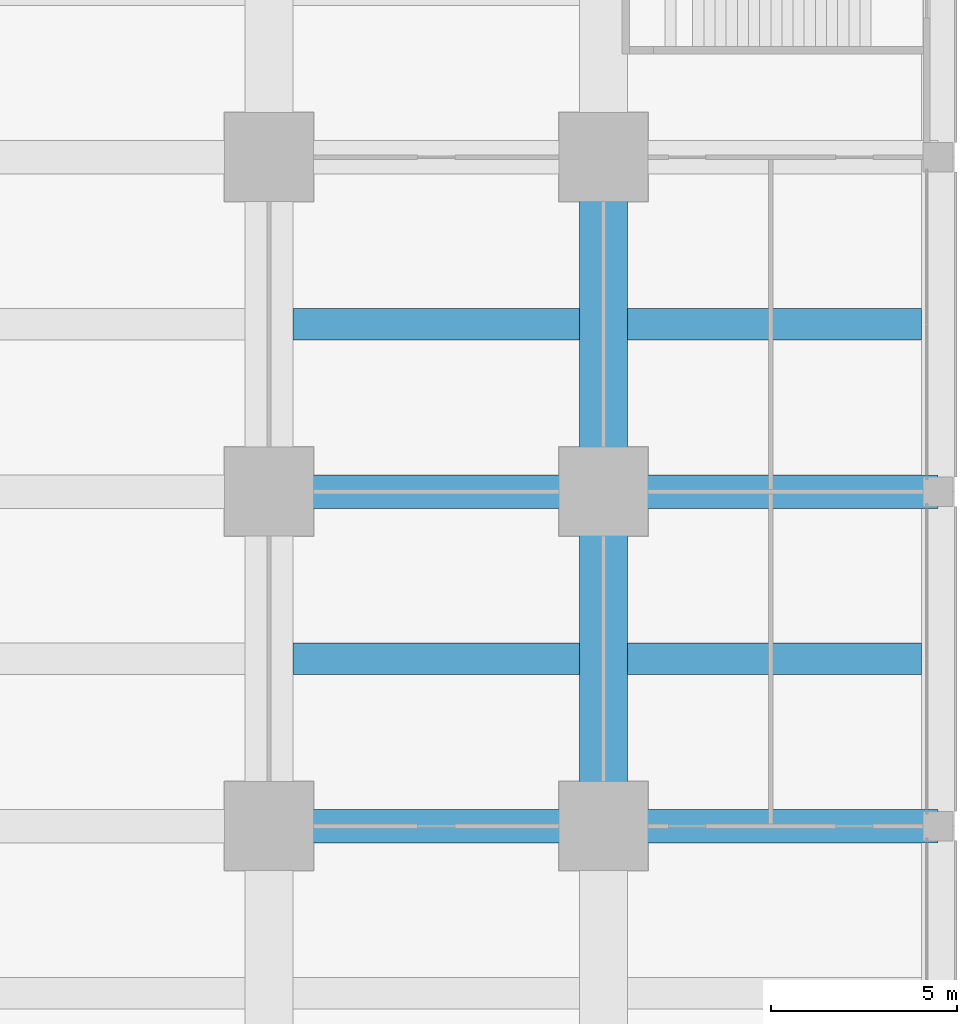
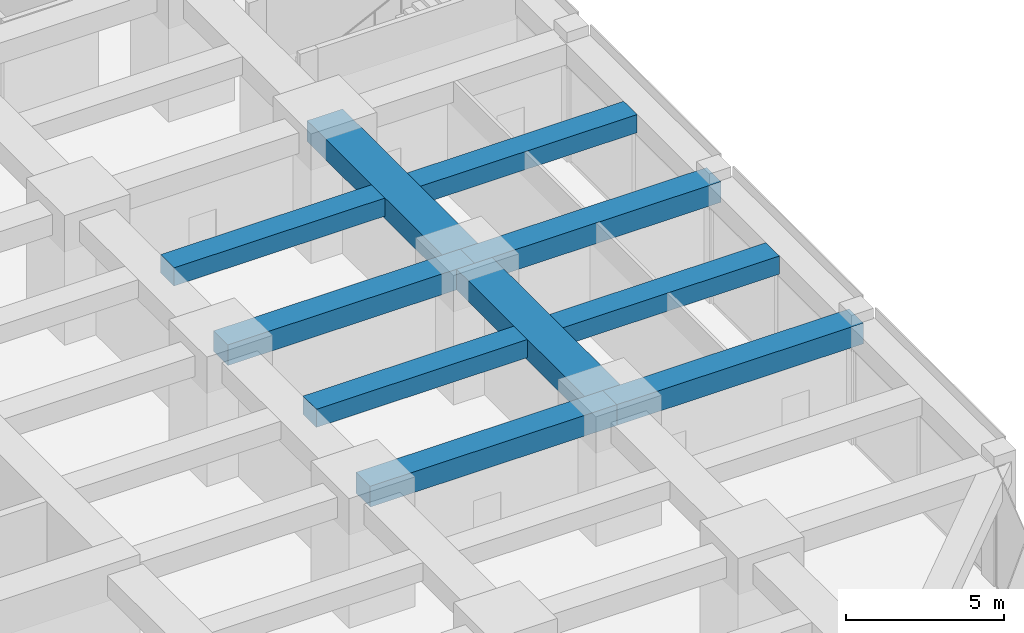
# One storey, part 33 of 46: 10 beams.
"""IFC4 building model written with IfcOpenShell, lengths in metres."""

from ifc_helpers import new_model, si_unit, direction, frame, origin, origin_2d, place, context, subcontext, project, spatial, rectangle, extrude, material, material_profile, profile_set, type_object, element, save


model = new_model("IFC4")

# Units and contexts
model_context = context("Model", 3, precision=1e-05, world=origin(), true_north=direction((0.0, 1.0)))
body_context = subcontext(model_context, "Body", "Model", "MODEL_VIEW")
ifc_project = project(units=[si_unit("LENGTHUNIT", "METRE"), si_unit("AREAUNIT", "SQUARE_METRE"), si_unit("VOLUMEUNIT", "CUBIC_METRE"), si_unit("PLANEANGLEUNIT", "RADIAN"), si_unit("MASSUNIT", "GRAM", prefix="KILO")], contexts=[model_context])

# Site, building, storey
site_placement = place(None, origin())
site = spatial("IfcSite", under=ifc_project, at=site_placement, CompositionType="ELEMENT")
building_placement = place(site_placement, origin())
building = spatial("IfcBuilding", under=site, at=building_placement, Name="Zorevar Civic Tower", CompositionType="ELEMENT")
storey_placement = place(building_placement, frame((0.0, 0.0, 10.800048828125)))
storey = spatial("IfcBuildingStorey", under=building, at=storey_placement, Name="L02", CompositionType="ELEMENT", Elevation=10.800048828125)

# Beams
ifc_material_1 = material(Name="Concrete C50/60", Category="concrete")
ifc_material_profile_1 = material_profile(ifc_material_1, rectangle(XDim=1.300048828125, YDim=0.800048828125, at=origin_2d()), Name="RC 1300x800")
ifc_profile_set_1 = profile_set([ifc_material_profile_1], Name="Concrete C50/60")
beam_type_1 = type_object("IfcBeamType", Name="Beam RC 1300x800", PredefinedType="BEAM", material=ifc_profile_set_1)
for number, where, z_axis, x_axis, name in (
    (1, (63.0, 18.0, 4.199951171875), (0.0, 1.0, 0.0), (-1.0, 0.0, 0.0), "Girder L03"),
    (2, (63.0, 27.0, 4.199951171875), (0.0, 1.0, 0.0), (-1.0, 0.0, 0.0), "Girder L03"),
):
    element("IfcBeam", number, at=place(storey_placement, frame(where, z_axis=z_axis, x_axis=x_axis)), inside=storey, type_object=beam_type_1, Name=name, PredefinedType="BEAM", context=body_context, shape_type="SweptSolid", body=[
        extrude(rectangle(XDim=1.300048828125, YDim=0.800048828125, at=origin_2d()), origin(), (0.0, 0.0, 1.0), 9.0),
    ])
ifc_material_2 = material(Name="Concrete C50/60", Category="concrete")
ifc_material_profile_2 = material_profile(ifc_material_2, rectangle(XDim=0.85009765625, YDim=0.699951171875, at=origin_2d()), Name="RC 850x700")
ifc_profile_set_2 = profile_set([ifc_material_profile_2], Name="Concrete C50/60")
beam_type_2 = type_object("IfcBeamType", Name="Beam RC 850x700", PredefinedType="BEAM", material=ifc_profile_set_2)
beam_1_placement = place(storey_placement, frame((54.64990234375, 22.5, 4.25), z_axis=(1.0, 0.0, 0.0), x_axis=(0.0, 1.0, 0.0)))
element("IfcBeam", 3, at=beam_1_placement, inside=storey, type_object=beam_type_2, Name="Secondary beam L03", PredefinedType="BEAM", context=body_context, shape_type="SweptSolid", body=[
    extrude(rectangle(XDim=0.85009765625, YDim=0.699951171875, at=origin_2d()), origin(), (0.0, 0.0, 1.0), 7.7001953125),
])
beam_2_placement = place(storey_placement, frame((63.64990234375, 22.5, 4.25), z_axis=(1.0, 0.0, 0.0), x_axis=(0.0, 1.0, 0.0)))
element("IfcBeam", 4, at=beam_2_placement, inside=storey, type_object=beam_type_2, Name="Secondary beam L03", PredefinedType="BEAM", context=body_context, shape_type="SweptSolid", body=[
    extrude(rectangle(XDim=0.85009765625, YDim=0.699951171875, at=origin_2d()), origin(), (0.0, 0.0, 1.0), 7.900146484375),
])
beam_3_placement = place(storey_placement, frame((54.64990234375, 31.5, 4.25), z_axis=(1.0, 0.0, 0.0), x_axis=(0.0, 1.0, 0.0)))
element("IfcBeam", 5, at=beam_3_placement, inside=storey, type_object=beam_type_2, Name="Secondary beam L03", PredefinedType="BEAM", context=body_context, shape_type="SweptSolid", body=[
    extrude(rectangle(XDim=0.85009765625, YDim=0.699951171875, at=origin_2d()), origin(), (0.0, 0.0, 1.0), 7.7001953125),
])
beam_4_placement = place(storey_placement, frame((63.64990234375, 31.5, 4.25), z_axis=(1.0, 0.0, 0.0), x_axis=(0.0, 1.0, 0.0)))
element("IfcBeam", 6, at=beam_4_placement, inside=storey, type_object=beam_type_2, Name="Secondary beam L03", PredefinedType="BEAM", context=body_context, shape_type="SweptSolid", body=[
    extrude(rectangle(XDim=0.85009765625, YDim=0.699951171875, at=origin_2d()), origin(), (0.0, 0.0, 1.0), 7.900146484375),
])
ifc_material_3 = material(Name="Concrete C50/60", Category="concrete")
ifc_material_profile_3 = material_profile(ifc_material_3, rectangle(XDim=0.89990234375, YDim=0.800048828125, at=origin_2d()), Name="RC 900x800")
ifc_profile_set_3 = profile_set([ifc_material_profile_3], Name="Concrete C50/60")
beam_type_3 = type_object("IfcBeamType", Name="Beam RC 900x800", PredefinedType="BEAM", material=ifc_profile_set_3)
for number, where, z_axis, x_axis, name in (
    (7, (54.0, 18.0, 4.199951171875), (1.0, 0.0, 0.0), (0.0, 1.0, 0.0), "Girder L03"),
    (8, (63.0, 18.0, 4.199951171875), (1.0, 0.0, 0.0), (0.0, 1.0, 0.0), "Girder L03"),
    (9, (54.0, 27.0, 4.199951171875), (1.0, 0.0, 0.0), (0.0, 1.0, 0.0), "Girder L03"),
    (10, (63.0, 27.0, 4.199951171875), (1.0, 0.0, 0.0), (0.0, 1.0, 0.0), "Girder L03"),
):
    element("IfcBeam", number, at=place(storey_placement, frame(where, z_axis=z_axis, x_axis=x_axis)), inside=storey, type_object=beam_type_3, Name=name, PredefinedType="BEAM", context=body_context, shape_type="SweptSolid", body=[
        extrude(rectangle(XDim=0.89990234375, YDim=0.800048828125, at=origin_2d()), origin(), (0.0, 0.0, 1.0), 9.0),
    ])

save(model, "model.ifc")
